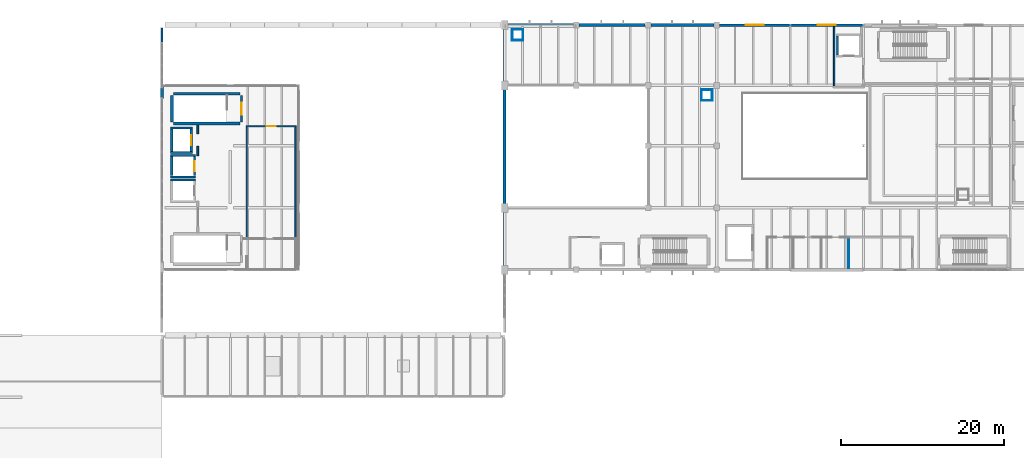
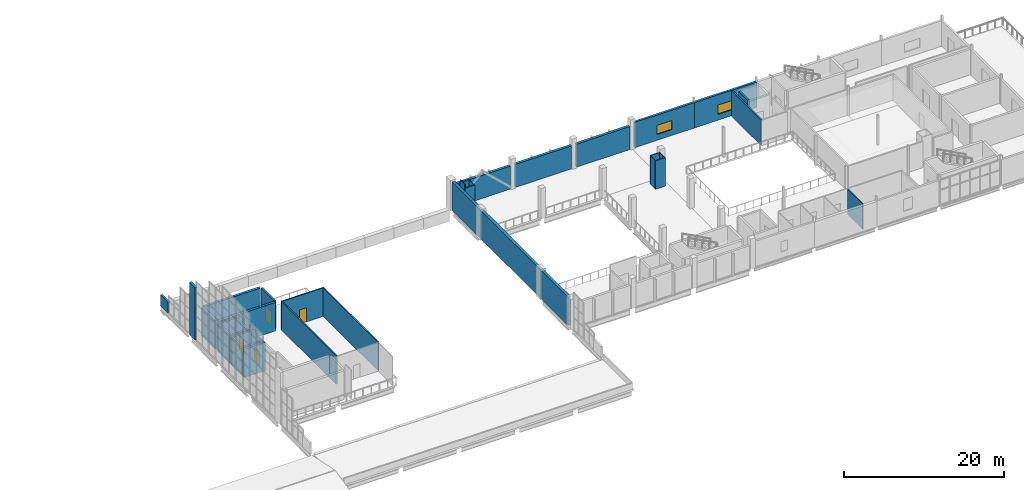
# One storey, part 30 of 37: 37 walls, 4 doors, 2 windows, 6 openings.
"""IFC4 building model written with IfcOpenShell, lengths in metres."""

from ifc_helpers import new_model, si_unit, direction, frame, frame_2d, origin, place, context, subcontext, project, spatial, rectangle, extrude, material, layer, layer_set, type_object, element, fill, save


model = new_model("IFC4")

# Units and contexts
model_context = context("Model", 3, precision=1e-05, world=origin(), true_north=direction((0.0, 1.0)))
body_context = subcontext(model_context, "Body", "Model", "MODEL_VIEW")
ifc_project = project(units=[si_unit("LENGTHUNIT", "METRE"), si_unit("AREAUNIT", "SQUARE_METRE"), si_unit("VOLUMEUNIT", "CUBIC_METRE"), si_unit("PLANEANGLEUNIT", "RADIAN"), si_unit("MASSUNIT", "GRAM", prefix="KILO")], contexts=[model_context])

# Site, building, storey
site_placement = place(None, origin())
site = spatial("IfcSite", under=ifc_project, at=site_placement, CompositionType="ELEMENT")
building_placement = place(site_placement, origin())
building = spatial("IfcBuilding", under=site, at=building_placement, Name="Shengluoqiao Park Theatre", CompositionType="ELEMENT")
storey_placement = place(building_placement, frame((0.0, 0.0, 19.199951171875)))
storey = spatial("IfcBuildingStorey", under=building, at=storey_placement, Name="L04", CompositionType="ELEMENT", Elevation=19.199951171875)

# Wall, opening, window
ifc_material_1 = material(Name="Concrete C40", Category="concrete")
ifc_layer_1 = layer(ifc_material_1, 0.31005859375, Name="Concrete C40")
ifc_layer_set_1 = layer_set([ifc_layer_1], Name="Concrete C40")
wall_type_1 = type_object("IfcWallType", Name="ENV-WL-CONC310", PredefinedType="STANDARD", material=ifc_layer_set_1)
wall_1_placement = place(storey_placement, frame((112.75390625, 114.0, 0.0), z_axis=(0.0, 0.0, 1.0), x_axis=(1.0, 0.0, 0.0)))
wall_1 = element("IfcWall", 1, at=wall_1_placement, inside=storey, type_object=wall_type_1, Name="L04 Exterior Wall 0251", PredefinedType="STANDARD", context=body_context, shape_type="SweptSolid", body=[
    extrude(rectangle(XDim=8.635986328125, YDim=0.31005859375, at=frame_2d((4.31787109375, 0.0))), origin(), (0.0, 0.0, 1.0), 3.8779296875),
])
opening_1_placement = place(wall_1_placement, frame((3.218017578125, 0.0, 0.89990234375)))
opening_1 = element("IfcOpeningElement", 2, at=opening_1_placement, cuts=wall_1, Name="Opening W-10", PredefinedType="OPENING", context=body_context, shape_type="SweptSolid", body=[
    extrude(rectangle(XDim=2.199951171875, YDim=1.39990234375, at=frame_2d((1.10009765625, 0.699951171875))), frame((0.0, 0.1650390625, 0.0), z_axis=(0.0, -1.0, 0.0), x_axis=(1.0, 0.0, 0.0)), (0.0, 0.0, 1.0), 0.330078125),
])
ifc_material_2 = material(Name="Insulated glass", Category="glass")
window_type = type_object("IfcWindowType", Name="ENV-WIN-W10", PartitioningType="DOUBLE_PANEL_VERTICAL", PredefinedType="WINDOW", material=ifc_material_2)
window_1_placement = place(opening_1_placement, origin())
window_1 = element("IfcWindow", 3, at=window_1_placement, inside=storey, type_object=window_type, Name="L04 Acoustic Window 0093", OverallHeight=1.39990234375, OverallWidth=2.199951171875, PartitioningType="DOUBLE_PANEL_VERTICAL", PredefinedType="WINDOW", context=body_context, shape_type="SweptSolid", body=[
    extrude(rectangle(XDim=2.199951171875, YDim=1.39990234375, at=frame_2d((1.10009765625, 0.699951171875))), frame((0.0, 0.030029296875, 0.0), z_axis=(0.0, -1.0, 0.0), x_axis=(1.0, 0.0, 0.0)), (0.0, 0.0, 1.0), 0.06005859375),
])
fill(opening_1, window_1)

wall_2_placement = place(storey_placement, frame((121.409912109375, 114.0, 0.0), z_axis=(0.0, 0.0, 1.0), x_axis=(1.0, 0.0, 0.0)))
wall_2 = element("IfcWall", 4, at=wall_2_placement, inside=storey, type_object=wall_type_1, Name="L04 Exterior Wall 0252", PredefinedType="STANDARD", context=body_context, shape_type="SweptSolid", body=[
    extrude(rectangle(XDim=8.97998046875, YDim=0.31005859375, at=frame_2d((4.489990234375, 0.0))), origin(), (0.0, 0.0, 1.0), 3.8779296875),
])
opening_2_placement = place(wall_2_placement, frame((3.389892578125, 0.0, 0.89990234375)))
opening_2 = element("IfcOpeningElement", 5, at=opening_2_placement, cuts=wall_2, Name="Opening W-10", PredefinedType="OPENING", context=body_context, shape_type="SweptSolid", body=[
    extrude(rectangle(XDim=2.199951171875, YDim=1.39990234375, at=frame_2d((1.10009765625, 0.699951171875))), frame((0.0, 0.1650390625, 0.0), z_axis=(0.0, -1.0, 0.0), x_axis=(1.0, 0.0, 0.0)), (0.0, 0.0, 1.0), 0.330078125),
])
window_2_placement = place(opening_2_placement, origin())
window_2 = element("IfcWindow", 6, at=window_2_placement, inside=storey, type_object=window_type, Name="L04 Acoustic Window 0094", OverallHeight=1.39990234375, OverallWidth=2.199951171875, PartitioningType="DOUBLE_PANEL_VERTICAL", PredefinedType="WINDOW", context=body_context, shape_type="SweptSolid", body=[
    extrude(rectangle(XDim=2.199951171875, YDim=1.39990234375, at=frame_2d((1.10009765625, 0.699951171875))), frame((0.0, 0.030029296875, 0.0), z_axis=(0.0, -1.0, 0.0), x_axis=(1.0, 0.0, 0.0)), (0.0, 0.0, 1.0), 0.06005859375),
])
fill(opening_2, window_2)

# Walls
ifc_material_3 = material(Name="Concrete C45", Category="concrete")
ifc_layer_2 = layer(ifc_material_3, 0.330078125, Name="Concrete C45")
ifc_layer_set_2 = layer_set([ifc_layer_2], Name="Concrete C45")
wall_type_2 = type_object("IfcWallType", Name="ENV-WL-CONC330", PredefinedType="STANDARD", material=ifc_layer_set_2)
wall_3_placement = place(storey_placement, frame((44.39990234375, 105.0, 0.0), z_axis=(0.0, 0.0, 1.0), x_axis=(0.0, 1.0, 0.0)))
element("IfcWall", 7, at=wall_3_placement, inside=storey, type_object=wall_type_2, Name="L04 Exterior Wall 0302", PredefinedType="STANDARD", context=body_context, shape_type="SweptSolid", body=[
    extrude(rectangle(XDim=1.39990234375, YDim=0.330078125, at=frame_2d((0.699951171875, 0.0))), origin(), (0.0, 0.0, 1.0), 8.024169921875),
])
ifc_layer_3 = layer(ifc_material_3, 0.3798828125, Name="Concrete C45")
ifc_layer_set_3 = layer_set([ifc_layer_3], Name="Concrete C45")
wall_type_3 = type_object("IfcWallType", Name="ENV-WL-CONC380", PredefinedType="STANDARD", material=ifc_layer_set_3)
wall_4_placement = place(storey_placement, frame((86.803955078125, 114.0, 0.0), z_axis=(0.0, 0.0, 1.0), x_axis=(1.0, 0.0, 0.0)))
element("IfcWall", 8, at=wall_4_placement, inside=storey, type_object=wall_type_3, Name="L04 Exterior Wall 0077", PredefinedType="STANDARD", context=body_context, shape_type="SweptSolid", body=[
    extrude(rectangle(XDim=8.0419921875, YDim=0.3798828125, at=frame_2d((4.02099609375, 0.0))), origin(), (0.0, 0.0, 1.0), 3.51806640625),
])
wall_5_placement = place(storey_placement, frame((95.553955078125, 114.0, 0.0), z_axis=(0.0, 0.0, 1.0), x_axis=(1.0, 0.0, 0.0)))
element("IfcWall", 9, at=wall_5_placement, inside=storey, type_object=wall_type_3, Name="L04 Exterior Wall 0078", PredefinedType="STANDARD", context=body_context, shape_type="SweptSolid", body=[
    extrude(rectangle(XDim=8.092041015625, YDim=0.3798828125, at=frame_2d((4.0458984375, 0.0))), origin(), (0.0, 0.0, 1.0), 3.51806640625),
])
wall_6_placement = place(storey_placement, frame((104.35400390625, 114.0, 0.0), z_axis=(0.0, 0.0, 1.0), x_axis=(1.0, 0.0, 0.0)))
element("IfcWall", 10, at=wall_6_placement, inside=storey, type_object=wall_type_3, Name="L04 Exterior Wall 0079", PredefinedType="STANDARD", context=body_context, shape_type="SweptSolid", body=[
    extrude(rectangle(XDim=7.69189453125, YDim=0.3798828125, at=frame_2d((3.845947265625, 0.0))), origin(), (0.0, 0.0, 1.0), 3.51806640625),
])
ifc_material_4 = material(Name="Precast concrete C45", Category="concrete")
ifc_layer_4 = layer(ifc_material_4, 0.25, Name="Precast concrete C45")
ifc_layer_set_4 = layer_set([ifc_layer_4], Name="Precast concrete C45")
wall_type_4 = type_object("IfcWallType", Name="ENV-WL-CRYS250", PredefinedType="STANDARD", material=ifc_layer_set_4)
wall_7_placement = place(storey_placement, frame((44.39990234375, 111.800048828125, 0.0), z_axis=(0.0, 0.0, 1.0), x_axis=(0.0, 1.0, 0.0)))
element("IfcWall", 11, at=wall_7_placement, inside=storey, type_object=wall_type_4, Name="L04 Exterior Wall 0300", PredefinedType="STANDARD", context=body_context, shape_type="SweptSolid", body=[
    extrude(rectangle(XDim=1.85986328125, YDim=0.25, at=frame_2d((0.929931640625, 0.0))), origin(), (0.0, 0.0, 1.0), 1.699951171875),
])
ifc_material_5 = material(Name="Concrete blockwork B06", Category="masonry")
ifc_layer_5 = layer(ifc_material_5, 0.2099609375, Name="Concrete blockwork B06")
ifc_layer_set_5 = layer_set([ifc_layer_5], Name="Concrete blockwork B06")
wall_type_5 = type_object("IfcWallType", Name="INT-WL-CMP210", PredefinedType="PARTITIONING", material=ifc_layer_set_5)
wall_8_placement = place(storey_placement, frame((48.800048828125, 98.013916015625, 0.0), z_axis=(0.0, 0.0, 1.0), x_axis=(0.0, 1.0, 0.0)))
element("IfcWall", 12, at=wall_8_placement, inside=storey, type_object=wall_type_5, Name="Followspot and Stage Optics Workshop Partition W", PredefinedType="PARTITIONING", context=body_context, shape_type="SweptSolid", body=[
    extrude(rectangle(XDim=1.115966796875, YDim=0.2099609375, at=frame_2d((0.55810546875, 0.0))), origin(), (0.0, 0.0, 1.0), 4.340087890625),
])
wall_9_placement = place(storey_placement, frame((48.800048828125, 100.669921875, 0.0), z_axis=(0.0, 0.0, 1.0), x_axis=(0.0, 1.0, 0.0)))
element("IfcWall", 13, at=wall_9_placement, inside=storey, type_object=wall_type_5, Name="Followspot and Stage Optics Workshop Partition W", PredefinedType="PARTITIONING", context=body_context, shape_type="SweptSolid", body=[
    extrude(rectangle(XDim=1.067138671875, YDim=0.2099609375, at=frame_2d((0.53369140625, 0.0))), origin(), (0.0, 0.0, 1.0), 4.340087890625),
])

# Wall, opening, door
ifc_material_6 = material(Name="Gypsum acoustic stud", Category="gypsum")
ifc_layer_6 = layer(ifc_material_6, 0.175048828125, Name="Gypsum acoustic stud")
ifc_layer_set_6 = layer_set([ifc_layer_6], Name="Gypsum acoustic stud")
wall_type_6 = type_object("IfcWallType", Name="INT-WL-COR175", PredefinedType="PARTITIONING", material=ifc_layer_set_6)
wall_10_placement = place(storey_placement, frame((54.71240234375, 101.60009765625, 0.0), z_axis=(0.0, 0.0, 1.0), x_axis=(1.0, 0.0, 0.0)))
wall_10 = element("IfcWall", 14, at=wall_10_placement, inside=storey, type_object=wall_type_6, Name="Followspot and Broadcast Control Suite Partition N", PredefinedType="PARTITIONING", context=body_context, shape_type="SweptSolid", body=[
    extrude(rectangle(XDim=6.175048828125, YDim=0.175048828125, at=frame_2d((3.08740234375, 0.0))), origin(), (0.0, 0.0, 1.0), 4.340087890625),
])
opening_3_placement = place(wall_10_placement, frame((2.5576171875, 0.0, 0.0)))
opening_3 = element("IfcOpeningElement", 15, at=opening_3_placement, cuts=wall_10, Name="Opening D-L04-093", PredefinedType="OPENING", context=body_context, shape_type="SweptSolid", body=[
    extrude(rectangle(XDim=1.06005859375, YDim=2.14990234375, at=frame_2d((0.530029296875, 1.074951171875))), frame((0.0, 0.097412109375, 0.0), z_axis=(0.0, -1.0, 0.0), x_axis=(1.0, 0.0, 0.0)), (0.0, 0.0, 1.0), 0.195068359375),
])
ifc_material_7 = material(Name="Acoustic timber", Category="wood")
door_type_1 = type_object("IfcDoorType", Name="INT-DR-SNG106", OperationType="NOTDEFINED", PredefinedType="DOOR", material=ifc_material_7)
door_1_placement = place(opening_3_placement, origin())
door_1 = element("IfcDoor", 16, at=door_1_placement, inside=storey, type_object=door_type_1, Name="Followspot and Broadcast Control Suite Door D-L04-093", OperationType="SINGLE_SWING_LEFT", OverallHeight=2.14990234375, OverallWidth=1.06005859375, PredefinedType="DOOR", context=body_context, shape_type="SweptSolid", body=[
    extrude(rectangle(XDim=1.06005859375, YDim=2.14990234375, at=frame_2d((0.530029296875, 1.074951171875))), frame((0.0, 0.02490234375, 0.0), z_axis=(0.0, -1.0, 0.0), x_axis=(1.0, 0.0, 0.0)), (0.0, 0.0, 1.0), 0.050048828125),
])
fill(opening_3, door_1)

# Walls
for number, where, z_axis, x_axis, name in (
    (17, (60.800048828125, 87.865478515625, 0.0), (0.0, 0.0, 1.0), (0.0, 1.0, 0.0), "Followspot and Broadcast Control Suite Partition E"),
    (18, (54.800048828125, 87.865478515625, 0.0), (0.0, 0.0, 1.0), (0.0, 1.0, 0.0), "Followspot and Broadcast Control Suite Partition W"),
):
    element("IfcWall", number, at=place(storey_placement, frame(where, z_axis=z_axis, x_axis=x_axis)), inside=storey, type_object=wall_type_6, Name=name, PredefinedType="PARTITIONING", context=body_context, shape_type="SweptSolid", body=[
        extrude(rectangle(XDim=13.64111328125, YDim=0.175048828125, at=frame_2d((6.820556640625, 0.0))), origin(), (0.0, 0.0, 1.0), 4.340087890625),
    ])
ifc_layer_7 = layer(ifc_material_5, 0.195068359375, Name="Concrete blockwork B06")
ifc_layer_set_7 = layer_set([ifc_layer_7], Name="Concrete blockwork B06")
wall_type_7 = type_object("IfcWallType", Name="INT-WL-FFL195", PredefinedType="PARTITIONING", material=ifc_layer_set_7)
wall_11_placement = place(storey_placement, frame((126.800048828125, 106.5048828125, 0.0), z_axis=(0.0, 0.0, 1.0), x_axis=(0.0, 1.0, 0.0)))
element("IfcWall", 19, at=wall_11_placement, inside=storey, type_object=wall_type_7, Name="L04 Firefighting Lift Lobby FF2 Fire Wall W", PredefinedType="PARTITIONING", context=body_context, shape_type="SweptSolid", body=[
    extrude(rectangle(XDim=7.275146484375, YDim=0.195068359375, at=frame_2d((3.6376953125, 0.0))), origin(), (0.0, 0.0, 1.0), 3.8779296875),
])
ifc_material_8 = material(Name="Gypsum shaftwall", Category="gypsum")
ifc_layer_8 = layer(ifc_material_8, 0.094970703125, Name="Gypsum shaftwall")
ifc_layer_set_8 = layer_set([ifc_layer_8], Name="Gypsum shaftwall")
wall_type_8 = type_object("IfcWallType", Name="INT-WL-RSR095", PredefinedType="PARTITIONING", material=ifc_layer_set_8)
for number, where, z_axis, x_axis, name in (
    (20, (87.304931640625, 112.14990234375, 0.0), (0.0, 0.0, 1.0), (1.0, 0.0, 0.0), "L04 Service Riser Shaftwall 169"),
    (21, (87.304931640625, 113.469970703125, 0.0), (0.0, 0.0, 1.0), (1.0, 0.0, 0.0), "L04 Service Riser Shaftwall 170"),
):
    element("IfcWall", number, at=place(storey_placement, frame(where, z_axis=z_axis, x_axis=x_axis)), inside=storey, type_object=wall_type_8, Name=name, PredefinedType="PARTITIONING", context=body_context, shape_type="SweptSolid", body=[
        extrude(rectangle(XDim=1.41015625, YDim=0.094970703125, at=frame_2d((0.705078125, 0.0))), origin(), (0.0, 0.0, 1.0), 3.818115234375),
    ])
wall_12_placement = place(storey_placement, frame((87.35009765625, 112.205078125, 0.0), z_axis=(0.0, 0.0, 1.0), x_axis=(0.0, 1.0, 0.0)))
element("IfcWall", 22, at=wall_12_placement, inside=storey, type_object=wall_type_8, Name="L04 Service Riser Shaftwall 171", PredefinedType="PARTITIONING", context=body_context, shape_type="SweptSolid", body=[
    extrude(rectangle(XDim=1.2099609375, YDim=0.094970703125, at=frame_2d((0.60498046875, 0.0))), origin(), (0.0, 0.0, 1.0), 4.340087890625),
])
wall_13_placement = place(storey_placement, frame((88.669921875, 112.205078125, 0.0), z_axis=(0.0, 0.0, 1.0), x_axis=(0.0, 1.0, 0.0)))
element("IfcWall", 23, at=wall_13_placement, inside=storey, type_object=wall_type_8, Name="L04 Service Riser Shaftwall 172", PredefinedType="PARTITIONING", context=body_context, shape_type="SweptSolid", body=[
    extrude(rectangle(XDim=1.2099609375, YDim=0.094970703125, at=frame_2d((0.60498046875, 0.0))), origin(), (0.0, 0.0, 1.0), 3.818115234375),
])
for number, where, z_axis, x_axis, name in (
    (24, (110.5048828125, 104.75, 0.0), (0.0, 0.0, 1.0), (1.0, 0.0, 0.0), "L04 Service Riser Shaftwall 173"),
    (25, (110.5048828125, 106.070068359375, 0.0), (0.0, 0.0, 1.0), (1.0, 0.0, 0.0), "L04 Service Riser Shaftwall 174"),
):
    element("IfcWall", number, at=place(storey_placement, frame(where, z_axis=z_axis, x_axis=x_axis)), inside=storey, type_object=wall_type_8, Name=name, PredefinedType="PARTITIONING", context=body_context, shape_type="SweptSolid", body=[
        extrude(rectangle(XDim=1.41015625, YDim=0.094970703125, at=frame_2d((0.705078125, 0.0))), origin(), (0.0, 0.0, 1.0), 4.340087890625),
    ])
for number, where, z_axis, x_axis, name in (
    (26, (110.550048828125, 104.804931640625, 0.0), (0.0, 0.0, 1.0), (0.0, 1.0, 0.0), "L04 Service Riser Shaftwall 175"),
    (27, (111.8701171875, 104.804931640625, 0.0), (0.0, 0.0, 1.0), (0.0, 1.0, 0.0), "L04 Service Riser Shaftwall 176"),
):
    element("IfcWall", number, at=place(storey_placement, frame(where, z_axis=z_axis, x_axis=x_axis)), inside=storey, type_object=wall_type_8, Name=name, PredefinedType="PARTITIONING", context=body_context, shape_type="SweptSolid", body=[
        extrude(rectangle(XDim=1.2099609375, YDim=0.094970703125, at=frame_2d((0.60498046875, 0.0))), origin(), (0.0, 0.0, 1.0), 4.340087890625),
    ])
ifc_layer_9 = layer(ifc_material_1, 0.260009765625, Name="Concrete C40")
ifc_layer_set_9 = layer_set([ifc_layer_9], Name="Concrete C40")
wall_type_9 = type_object("IfcWallType", Name="INT-WL-SHF260", PredefinedType="STANDARD", material=ifc_layer_set_9)
for number, where, z_axis, x_axis, name in (
    (28, (45.469970703125, 95.0, 0.0), (0.0, 0.0, 1.0), (1.0, 0.0, 0.0), "L04 PL3 Lift Shaft Wall North"),
    (29, (45.469970703125, 95.39990234375, 0.0), (0.0, 0.0, 1.0), (1.0, 0.0, 0.0), "L04 PL4 Lift Shaft Wall South"),
    (30, (45.469970703125, 98.0, 0.0), (0.0, 0.0, 1.0), (1.0, 0.0, 0.0), "L04 PL4 Lift Shaft Wall North"),
):
    element("IfcWall", number, at=place(storey_placement, frame(where, z_axis=z_axis, x_axis=x_axis)), inside=storey, type_object=wall_type_9, Name=name, PredefinedType="STANDARD", context=body_context, shape_type="SweptSolid", body=[
        extrude(rectangle(XDim=3.06005859375, YDim=0.260009765625, at=frame_2d((1.530029296875, 0.0))), origin(), (0.0, 0.0, 1.0), 4.340087890625),
    ])
wall_14_placement = place(storey_placement, frame((45.60009765625, 95.535888671875, 0.0), z_axis=(0.0, 0.0, 1.0), x_axis=(0.0, 1.0, 0.0)))
element("IfcWall", 31, at=wall_14_placement, inside=storey, type_object=wall_type_9, Name="L04 PL4 Lift Shaft Wall West", PredefinedType="STANDARD", context=body_context, shape_type="SweptSolid", body=[
    extrude(rectangle(XDim=2.328125, YDim=0.260009765625, at=frame_2d((1.1640625, 0.0))), origin(), (0.0, 0.0, 1.0), 4.340087890625),
])

# Wall, opening, door
wall_15_placement = place(storey_placement, frame((48.39990234375, 95.535888671875, 0.0), z_axis=(0.0, 0.0, 1.0), x_axis=(0.0, 1.0, 0.0)))
wall_15 = element("IfcWall", 32, at=wall_15_placement, inside=storey, type_object=wall_type_9, Name="L04 PL4 Lift Shaft Wall East", PredefinedType="STANDARD", context=body_context, shape_type="SweptSolid", body=[
    extrude(rectangle(XDim=2.328125, YDim=0.260009765625, at=frame_2d((1.1640625, 0.0))), origin(), (0.0, 0.0, 1.0), 4.340087890625),
])
opening_4_placement = place(wall_15_placement, frame((0.553955078125, 0.0, 0.0)))
opening_4 = element("IfcOpeningElement", 33, at=opening_4_placement, cuts=wall_15, Name="Opening LD-PL4-L04", PredefinedType="OPENING", context=body_context, shape_type="SweptSolid", body=[
    extrude(rectangle(XDim=1.219970703125, YDim=2.199951171875, at=frame_2d((0.60986328125, 1.10009765625))), frame((0.0, 0.139892578125, 0.0), z_axis=(0.0, -1.0, 0.0), x_axis=(1.0, 0.0, 0.0)), (0.0, 0.0, 1.0), 0.280029296875),
])
ifc_material_9 = material(Name="Stainless steel 304", Category="steel")
door_type_2 = type_object("IfcDoorType", Name="INT-DR-LD122", OperationType="SLIDING_TO_RIGHT", PredefinedType="DOOR", material=ifc_material_9)
door_2_placement = place(opening_4_placement, origin())
door_2 = element("IfcDoor", 34, at=door_2_placement, inside=storey, type_object=door_type_2, Name="PL4 Lift Landing Door LD-PL4-L04", OperationType="SLIDING_TO_RIGHT", OverallHeight=2.199951171875, OverallWidth=1.219970703125, PredefinedType="DOOR", context=body_context, shape_type="SweptSolid", body=[
    extrude(rectangle(XDim=1.219970703125, YDim=2.199951171875, at=frame_2d((0.60986328125, 1.10009765625))), frame((0.0, 0.02490234375, 0.0), z_axis=(0.0, -1.0, 0.0), x_axis=(1.0, 0.0, 0.0)), (0.0, 0.0, 1.0), 0.050048828125),
])
fill(opening_4, door_2)

# Walls
for number, where, z_axis, x_axis, name in (
    (35, (45.469970703125, 98.39990234375, 0.0), (0.0, 0.0, 1.0), (1.0, 0.0, 0.0), "L04 AL1 Lift Shaft Wall South"),
    (36, (45.469970703125, 101.39990234375, 0.0), (0.0, 0.0, 1.0), (1.0, 0.0, 0.0), "L04 AL1 Lift Shaft Wall North"),
):
    element("IfcWall", number, at=place(storey_placement, frame(where, z_axis=z_axis, x_axis=x_axis)), inside=storey, type_object=wall_type_9, Name=name, PredefinedType="STANDARD", context=body_context, shape_type="SweptSolid", body=[
        extrude(rectangle(XDim=2.659912109375, YDim=0.260009765625, at=frame_2d((1.330078125, 0.0))), origin(), (0.0, 0.0, 1.0), 4.340087890625),
    ])
wall_16_placement = place(storey_placement, frame((45.60009765625, 98.535888671875, 0.0), z_axis=(0.0, 0.0, 1.0), x_axis=(0.0, 1.0, 0.0)))
element("IfcWall", 37, at=wall_16_placement, inside=storey, type_object=wall_type_9, Name="L04 AL1 Lift Shaft Wall West", PredefinedType="STANDARD", context=body_context, shape_type="SweptSolid", body=[
    extrude(rectangle(XDim=2.72802734375, YDim=0.260009765625, at=frame_2d((1.364013671875, 0.0))), origin(), (0.0, 0.0, 1.0), 4.340087890625),
])

# Wall, opening, door
wall_17_placement = place(storey_placement, frame((48.0, 98.535888671875, 0.0), z_axis=(0.0, 0.0, 1.0), x_axis=(0.0, 1.0, 0.0)))
wall_17 = element("IfcWall", 38, at=wall_17_placement, inside=storey, type_object=wall_type_9, Name="L04 AL1 Lift Shaft Wall East", PredefinedType="STANDARD", context=body_context, shape_type="SweptSolid", body=[
    extrude(rectangle(XDim=2.72802734375, YDim=0.260009765625, at=frame_2d((1.364013671875, 0.0))), origin(), (0.0, 0.0, 1.0), 4.340087890625),
])
opening_5_placement = place(wall_17_placement, frame((0.75390625, 0.0, 0.0)))
opening_5 = element("IfcOpeningElement", 39, at=opening_5_placement, cuts=wall_17, Name="Opening LD-AL1-L04", PredefinedType="OPENING", context=body_context, shape_type="SweptSolid", body=[
    extrude(rectangle(XDim=1.219970703125, YDim=2.199951171875, at=frame_2d((0.60986328125, 1.10009765625))), frame((0.0, 0.139892578125, 0.0), z_axis=(0.0, -1.0, 0.0), x_axis=(1.0, 0.0, 0.0)), (0.0, 0.0, 1.0), 0.280029296875),
])
door_3_placement = place(opening_5_placement, origin())
door_3 = element("IfcDoor", 40, at=door_3_placement, inside=storey, type_object=door_type_2, Name="AL1 Lift Landing Door LD-AL1-L04", OperationType="SLIDING_TO_LEFT", OverallHeight=2.199951171875, OverallWidth=1.219970703125, PredefinedType="DOOR", context=body_context, shape_type="SweptSolid", body=[
    extrude(rectangle(XDim=1.219970703125, YDim=2.199951171875, at=frame_2d((0.60986328125, 1.10009765625))), frame((0.0, 0.02490234375, 0.0), z_axis=(0.0, -1.0, 0.0), x_axis=(1.0, 0.0, 0.0)), (0.0, 0.0, 1.0), 0.050048828125),
])
fill(opening_5, door_3)

# Wall
wall_18_placement = place(storey_placement, frame((127.199951171875, 110.3359375, 0.0), z_axis=(0.0, 0.0, 1.0), x_axis=(0.0, 1.0, 0.0)))
element("IfcWall", 41, at=wall_18_placement, inside=storey, type_object=wall_type_9, Name="L04 FF2 Lift Shaft Wall West", PredefinedType="STANDARD", context=body_context, shape_type="SweptSolid", body=[
    extrude(rectangle(XDim=2.328125, YDim=0.260009765625, at=frame_2d((1.1640625, 0.0))), origin(), (0.0, 0.0, 1.0), 4.340087890625),
])

# Wall, opening, door
ifc_layer_10 = layer(ifc_material_1, 0.239990234375, Name="Concrete C40")
ifc_layer_set_10 = layer_set([ifc_layer_10], Name="Concrete C40")
wall_type_10 = type_object("IfcWallType", Name="INT-WL-STW240", PredefinedType="STANDARD", material=ifc_layer_set_10)
wall_19_placement = place(storey_placement, frame((54.139892578125, 105.389892578125, 0.0), z_axis=(0.0, 0.0, 1.0), x_axis=(0.0, -1.0, 0.0)))
wall_19 = element("IfcWall", 42, at=wall_19_placement, inside=storey, type_object=wall_type_10, Name="L04 ST-03 Stairwell Fire Wall", PredefinedType="STANDARD", context=body_context, shape_type="SweptSolid", body=[
    extrude(rectangle(XDim=3.27978515625, YDim=0.239990234375, at=frame_2d((1.639892578125, 0.0))), origin(), (0.0, 0.0, 1.0), 4.340087890625),
])
opening_6_placement = place(wall_19_placement, frame((0.9150390625, 0.0, 0.0)))
opening_6 = element("IfcOpeningElement", 43, at=opening_6_placement, cuts=wall_19, Name="Opening SD-03-L04", PredefinedType="OPENING", context=body_context, shape_type="SweptSolid", body=[
    extrude(rectangle(XDim=1.449951171875, YDim=2.199951171875, at=frame_2d((0.72509765625, 1.10009765625))), frame((0.0, 0.1298828125, 0.0), z_axis=(0.0, -1.0, 0.0), x_axis=(1.0, 0.0, 0.0)), (0.0, 0.0, 1.0), 0.260009765625),
])
ifc_material_10 = material(Name="Steel Q355", Category="steel")
door_type_3 = type_object("IfcDoorType", Name="INT-DR-STW145", OperationType="DOUBLE_DOOR_SINGLE_SWING", PredefinedType="DOOR", material=ifc_material_10)
door_4_placement = place(opening_6_placement, origin())
door_4 = element("IfcDoor", 44, at=door_4_placement, inside=storey, type_object=door_type_3, Name="L04 ST-03 Escape Stair Door SD-03-L04", OperationType="DOUBLE_DOOR_SINGLE_SWING", OverallHeight=2.199951171875, OverallWidth=1.449951171875, PredefinedType="DOOR", context=body_context, shape_type="SweptSolid", body=[
    extrude(rectangle(XDim=1.449951171875, YDim=2.199951171875, at=frame_2d((0.72509765625, 1.10009765625))), frame((0.0, 0.02490234375, 0.0), z_axis=(0.0, -1.0, 0.0), x_axis=(1.0, 0.0, 0.0)), (0.0, 0.0, 1.0), 0.050048828125),
])
fill(opening_6, door_4)

# Walls
ifc_material_11 = material(Name="Moisture-resistant board")
ifc_layer_11 = layer(ifc_material_11, 0.114990234375, Name="Moisture-resistant board")
ifc_layer_set_11 = layer_set([ifc_layer_11], Name="Moisture-resistant board")
wall_type_11 = type_object("IfcWallType", Name="INT-WL-WCP115", PredefinedType="PARTITIONING", material=ifc_layer_set_11)
wall_20_placement = place(storey_placement, frame((128.60009765625, 84.197998046875, 0.0), z_axis=(0.0, 0.0, 1.0), x_axis=(0.0, 1.0, 0.0)))
element("IfcWall", 45, at=wall_20_placement, inside=storey, type_object=wall_type_11, Name="Fourth Floor Staff Female WC Partition E", PredefinedType="PARTITIONING", context=body_context, shape_type="SweptSolid", body=[
    extrude(rectangle(XDim=3.738525390625, YDim=0.114990234375, at=frame_2d((1.869140625, 0.0))), origin(), (0.0, 0.0, 1.0), 3.8779296875),
])
ifc_material_12 = material(Name="Concrete C50", Category="concrete")
ifc_layer_12 = layer(ifc_material_12, 0.35009765625, Name="Concrete C50")
ifc_layer_set_12 = layer_set([ifc_layer_12], Name="Concrete C50")
wall_type_12 = type_object("IfcWallType", Name="STR-SW-CORE350", PredefinedType="SHEAR", material=ifc_layer_set_12)
wall_21_placement = place(storey_placement, frame((53.949951171875, 105.580078125, 0.0), z_axis=(0.0, 0.0, 1.0), x_axis=(-1.0, 0.0, 0.0)))
element("IfcWall", 46, at=wall_21_placement, inside=storey, type_object=wall_type_12, Name="L04 ST-03 Core Left Shear Wall 0070", PredefinedType="SHEAR", context=body_context, shape_type="SweptSolid", body=[
    extrude(rectangle(XDim=8.14990234375, YDim=0.35009765625, at=frame_2d((4.074951171875, 0.0))), origin(), (0.0, 0.0, 1.0), 4.340087890625),
])
wall_22_placement = place(storey_placement, frame((45.6201171875, 105.39990234375, 0.0), z_axis=(0.0, 0.0, 1.0), x_axis=(0.0, -1.0, 0.0)))
element("IfcWall", 47, at=wall_22_placement, inside=storey, type_object=wall_type_12, Name="L04 ST-03 Core Far Shear Wall 0071", PredefinedType="SHEAR", context=body_context, shape_type="SweptSolid", body=[
    extrude(rectangle(XDim=3.2998046875, YDim=0.35009765625, at=frame_2d((1.64990234375, 0.0))), origin(), (0.0, 0.0, 1.0), 4.340087890625),
])
wall_23_placement = place(storey_placement, frame((45.800048828125, 101.919921875, 0.0), z_axis=(0.0, 0.0, 1.0), x_axis=(1.0, 0.0, 0.0)))
element("IfcWall", 48, at=wall_23_placement, inside=storey, type_object=wall_type_12, Name="L04 ST-03 Core Right Shear Wall 0072", PredefinedType="SHEAR", context=body_context, shape_type="SweptSolid", body=[
    extrude(rectangle(XDim=8.14990234375, YDim=0.35009765625, at=frame_2d((4.074951171875, 0.0))), origin(), (0.0, 0.0, 1.0), 4.340087890625),
])
ifc_layer_13 = layer(ifc_material_12, 0.39990234375, Name="Concrete C50")
ifc_layer_set_13 = layer_set([ifc_layer_13], Name="Concrete C50")
wall_type_13 = type_object("IfcWallType", Name="STR-SW-PROSC400", PredefinedType="SHEAR", material=ifc_layer_set_13)
wall_24_placement = place(storey_placement, frame((86.39990234375, 84.5, 0.0), z_axis=(0.0, 0.0, 1.0), x_axis=(0.0, 1.0, 0.0)))
element("IfcWall", 49, at=wall_24_placement, inside=storey, type_object=wall_type_13, Name="L04 Proscenium Fire Wall 0023", PredefinedType="SHEAR", context=body_context, shape_type="SweptSolid", body=[
    extrude(rectangle(XDim=29.0, YDim=0.39990234375, at=frame_2d((14.5, 0.0))), origin(), (0.0, 0.0, 1.0), 4.340087890625),
])

save(model, "model.ifc")
